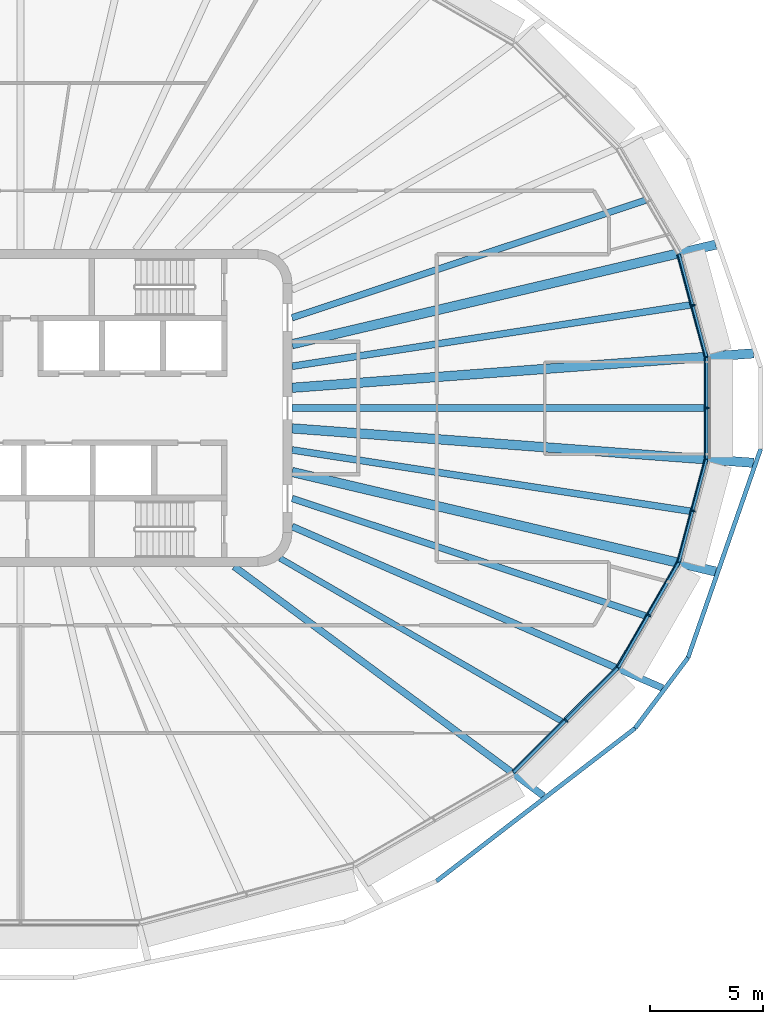
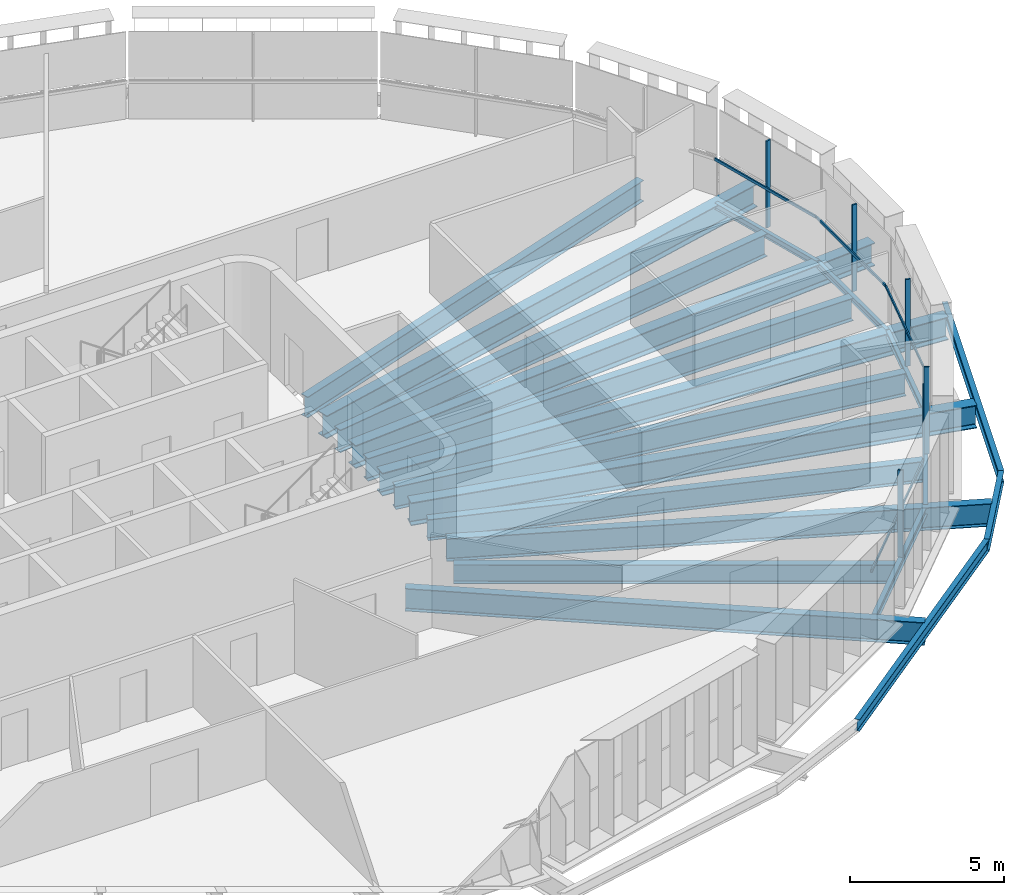
# One storey, part 4 of 20: 20 beams, 10 members, 5 elements without a shape of their own.
"""IFC4 building model written with IfcOpenShell, lengths in metres."""

from ifc_helpers import new_model, si_unit, direction, frame, origin, origin_2d, place, context, subcontext, project, spatial, rectangle, i_section, extrude, material, layer, layer_set, material_profile, profile_set, type_object, element, aggregate, save


model = new_model("IFC4")

# Units and contexts
model_context = context("Model", 3, precision=1e-05, world=origin(), true_north=direction((0.0, 1.0)))
body_context = subcontext(model_context, "Body", "Model", "MODEL_VIEW")
ifc_project = project(units=[si_unit("LENGTHUNIT", "METRE"), si_unit("AREAUNIT", "SQUARE_METRE"), si_unit("VOLUMEUNIT", "CUBIC_METRE"), si_unit("PLANEANGLEUNIT", "RADIAN"), si_unit("MASSUNIT", "GRAM", prefix="KILO")], contexts=[model_context])

# Site, building, storey
site_placement = place(None, origin())
site = spatial("IfcSite", under=ifc_project, at=site_placement, CompositionType="ELEMENT")
building_placement = place(site_placement, origin())
building = spatial("IfcBuilding", under=site, at=building_placement, Name="Sahrelin Media Tower", CompositionType="ELEMENT")
storey_placement = place(building_placement, frame((0.0, 0.0, 245.60009765625)))
storey = spatial("IfcBuildingStorey", under=building, at=storey_placement, Name="L53", CompositionType="ELEMENT", Elevation=245.60009765625)

# Beams
ifc_material_1 = material(Name="Steel S355", Category="steel")
ifc_material_profile_1 = material_profile(ifc_material_1, i_section(OverallWidth=0.14599609375, OverallDepth=0.25146484375, WebThickness=0.006103515625, FlangeThickness=0.008544921875, FilletRadius=0.007568359375, at=origin_2d()), Name="UB 254x146x31")
ifc_profile_set_1 = profile_set([ifc_material_profile_1], Name="Steel S355")
beam_type_1 = type_object("IfcBeamType", Name="Edge beam EB1", PredefinedType="BEAM", material=ifc_profile_set_1)
beam_1_placement = place(storey_placement, frame((30.300048828125, 2.240234375, -0.27587890625), z_axis=(0.0, -1.0, 0.0), x_axis=(1.0, 0.0, 0.0)))
element("IfcBeam", 1, at=beam_1_placement, inside=storey, type_object=beam_type_1, Name="Edge beam L53-01", PredefinedType="BEAM", context=body_context, shape_type="SweptSolid", body=[
    extrude(i_section(OverallWidth=0.14599609375, OverallDepth=0.25146484375, WebThickness=0.006103515625, FlangeThickness=0.008544921875, FilletRadius=0.007568359375, at=origin_2d()), origin(), (0.0, 0.0, 1.0), 4.48046875),
])
for number, where, z_axis, x_axis, name in (
    (2, (30.296142578125, -2.268798828125, -0.27587890625), (-0.258770785767, -0.965938756047, 0.0), (0.965938756047, -0.258770785767, 0.0), "Edge beam L53-02"),
    (3, (29.082763671875, 6.798095703125, -0.27587890625), (0.258770785767, -0.965938756047, 0.0), (0.965938756047, 0.258770785767, 0.0), "Edge beam L53-24"),
):
    element("IfcBeam", number, at=place(storey_placement, frame(where, z_axis=z_axis, x_axis=x_axis)), inside=storey, type_object=beam_type_1, Name=name, PredefinedType="BEAM", context=body_context, shape_type="SweptSolid", body=[
        extrude(i_section(OverallWidth=0.14599609375, OverallDepth=0.25146484375, WebThickness=0.006103515625, FlangeThickness=0.008544921875, FilletRadius=0.007568359375, at=origin_2d()), origin(), (0.0, 0.0, 1.0), 4.68896484375),
    ])
ifc_material_profile_2 = material_profile(ifc_material_1, i_section(OverallWidth=0.1650390625, OverallDepth=0.303466796875, WebThickness=0.006103515625, FlangeThickness=0.01025390625, FilletRadius=0.0087890625, at=origin_2d()), Name="UB 305x165x40")
ifc_profile_set_2 = profile_set([ifc_material_profile_2], Name="Steel S355")
beam_type_2 = type_object("IfcBeamType", Name="Edge beam EB2", PredefinedType="BEAM", material=ifc_profile_set_2)
beam_2_placement = place(storey_placement, frame((29.07177734375, -6.82470703125, -0.3017578125), z_axis=(-0.500034814518, -0.86600530268, 0.0), x_axis=(0.86600530268, -0.500034814518, 0.0)))
element("IfcBeam", 4, at=beam_2_placement, inside=storey, type_object=beam_type_2, Name="Edge beam L53-03", PredefinedType="BEAM", context=body_context, shape_type="SweptSolid", body=[
    extrude(i_section(OverallWidth=0.1650390625, OverallDepth=0.303466796875, WebThickness=0.006103515625, FlangeThickness=0.01025390625, FilletRadius=0.0087890625, at=origin_2d()), origin(), (0.0, 0.0, 1.0), 5.3447265625),
])
ifc_material_profile_3 = material_profile(ifc_material_1, i_section(OverallWidth=0.17138671875, OverallDepth=0.35498046875, WebThickness=0.00732421875, FlangeThickness=0.011474609375, FilletRadius=0.01025390625, at=origin_2d()), Name="UB 356x171x51")
ifc_profile_set_3 = profile_set([ifc_material_profile_3], Name="Steel S355")
beam_type_3 = type_object("IfcBeamType", Name="Edge beam EB3", PredefinedType="BEAM", material=ifc_profile_set_3)
beam_3_placement = place(storey_placement, frame((26.381591796875, -11.476318359375, -0.32763671875), z_axis=(-0.707106781187, -0.707106781187, 0.0), x_axis=(0.707106781187, -0.707106781187, 0.0)))
element("IfcBeam", 5, at=beam_3_placement, inside=storey, type_object=beam_type_3, Name="Edge beam L53-04", PredefinedType="BEAM", context=body_context, shape_type="SweptSolid", body=[
    extrude(i_section(OverallWidth=0.17138671875, OverallDepth=0.35498046875, WebThickness=0.00732421875, FlangeThickness=0.011474609375, FilletRadius=0.01025390625, at=origin_2d()), origin(), (0.0, 0.0, 1.0), 6.508544921875),
])

# Curtain wall, member
ifc_material_2 = material(Name="Champagne anodised aluminium 6063-T6", Category="aluminium")
ifc_layer = layer(ifc_material_2, 0.14990234375)
ifc_layer_set = layer_set([ifc_layer], Name="Tower ribbon curtain wall")
curtain_wall_type = type_object("IfcCurtainWallType", Name="Tower ribbon curtain wall", PredefinedType="NOTDEFINED", material=ifc_layer_set)
curtain_wall_1_placement = place(storey_placement, frame((30.449951171875, 0.0, 0.0), z_axis=(0.0, 0.0, 1.0), x_axis=(1.0, 0.0, 0.0)))
curtain_wall_1 = element("IfcCurtainWall", 6, at=curtain_wall_1_placement, inside=storey, type_object=curtain_wall_type, Name="L53:CW:L53-00", PredefinedType="NOTDEFINED")
ifc_material_profile_4 = material_profile(ifc_material_2, rectangle(XDim=0.06005859375, YDim=0.175048828125, at=origin_2d()), Name="Mullion 60x175")
ifc_profile_set_4 = profile_set([ifc_material_profile_4], Name="Champagne anodised aluminium 6063-T6")
member_type_1 = type_object("IfcMemberType", Name="Mullion 60x175 CW1B", PredefinedType="MULLION", material=ifc_profile_set_4)
member_1_placement = place(storey_placement, frame((30.342529296875, 0.0, 0.0), z_axis=(0.0, 0.0, 1.0), x_axis=(0.0, 1.0, 0.0)))
member_1 = element("IfcMember", 7, at=member_1_placement, type_object=member_type_1, Name="L53:CWM:L53-00", PredefinedType="MULLION", context=body_context, shape_type="SweptSolid", body=[
    extrude(rectangle(XDim=0.06005859375, YDim=0.175048828125, at=origin_2d()), origin(), (0.0, 0.0, 1.0), 3.448486328125),
])

curtain_wall_2_placement = place(storey_placement, frame((29.834228515625, 4.572265625, 0.0), z_axis=(0.0, 0.0, 1.0), x_axis=(1.0, 0.0, 0.0)))
curtain_wall_2 = element("IfcCurtainWall", 8, at=curtain_wall_2_placement, inside=storey, type_object=curtain_wall_type, Name="L53:CW:L53-01", PredefinedType="NOTDEFINED")
member_2_placement = place(storey_placement, frame((29.73046875, 4.54443359375, 0.0), z_axis=(0.0, 0.0, 1.0), x_axis=(-0.258812301662, 0.965927633163, 0.0)))
member_2 = element("IfcMember", 9, at=member_2_placement, type_object=member_type_1, Name="L53:CWM:L53-01", PredefinedType="MULLION", context=body_context, shape_type="SweptSolid", body=[
    extrude(rectangle(XDim=0.06005859375, YDim=0.175048828125, at=origin_2d()), origin(), (0.0, 0.0, 1.0), 3.448486328125),
])

curtain_wall_3_placement = place(storey_placement, frame((24.1865234375, -13.883544921875, 0.0), z_axis=(0.0, 0.0, 1.0), x_axis=(1.0, 0.0, 0.0)))
curtain_wall_3 = element("IfcCurtainWall", 10, at=curtain_wall_3_placement, inside=storey, type_object=curtain_wall_type, Name="L53:CW:L53-21", PredefinedType="NOTDEFINED")
member_3_placement = place(storey_placement, frame((24.110595703125, -13.807373046875, 0.0), z_axis=(0.0, 0.0, 1.0), x_axis=(0.707106781187, 0.707106781187, 0.0)))
member_3 = element("IfcMember", 11, at=member_3_placement, type_object=member_type_1, Name="L53:CWM:L53-21", PredefinedType="MULLION", context=body_context, shape_type="SweptSolid", body=[
    extrude(rectangle(XDim=0.06005859375, YDim=0.175048828125, at=origin_2d()), origin(), (0.0, 0.0, 1.0), 3.448486328125),
])

curtain_wall_4_placement = place(storey_placement, frame((27.865234375, -9.214111328125, 0.0), z_axis=(0.0, 0.0, 1.0), x_axis=(1.0, 0.0, 0.0)))
curtain_wall_4 = element("IfcCurtainWall", 12, at=curtain_wall_4_placement, inside=storey, type_object=curtain_wall_type, Name="L53:CW:L53-22", PredefinedType="NOTDEFINED")
member_4_placement = place(storey_placement, frame((27.772216796875, -9.16015625, 0.0), z_axis=(0.0, 0.0, 1.0), x_axis=(0.500009068969, 0.866020167749, 0.0)))
member_4 = element("IfcMember", 13, at=member_4_placement, type_object=member_type_1, Name="L53:CWM:L53-22", PredefinedType="MULLION", context=body_context, shape_type="SweptSolid", body=[
    extrude(rectangle(XDim=0.06005859375, YDim=0.175048828125, at=origin_2d()), origin(), (0.0, 0.0, 1.0), 3.448486328125),
])

curtain_wall_5_placement = place(storey_placement, frame((29.83447265625, -4.572265625, 0.0), z_axis=(0.0, 0.0, 1.0), x_axis=(1.0, 0.0, 0.0)))
curtain_wall_5 = element("IfcCurtainWall", 14, at=curtain_wall_5_placement, inside=storey, type_object=curtain_wall_type, Name="L53:CW:L53-23", PredefinedType="NOTDEFINED")
member_5_placement = place(storey_placement, frame((29.73046875, -4.54443359375, 0.0), z_axis=(0.0, 0.0, 1.0), x_axis=(0.258812301662, 0.965927633163, 0.0)))
member_5 = element("IfcMember", 15, at=member_5_placement, type_object=member_type_1, Name="L53:CWM:L53-23", PredefinedType="MULLION", context=body_context, shape_type="SweptSolid", body=[
    extrude(rectangle(XDim=0.06005859375, YDim=0.175048828125, at=origin_2d()), origin(), (0.0, 0.0, 1.0), 3.448486328125),
])

# Beams
ifc_material_profile_5 = material_profile(ifc_material_1, i_section(OverallWidth=0.30322265625, OverallDepth=0.903076171875, WebThickness=0.01513671875, FlangeThickness=0.020263671875, FilletRadius=0.01904296875, at=origin_2d()), Name="UB 914x305x201")
ifc_profile_set_5 = profile_set([ifc_material_profile_5], Name="Steel S355")
beam_type_4 = type_object("IfcBeamType", Name="Radial primary beam PB11", PredefinedType="BEAM", material=ifc_profile_set_5)
beam_4_placement = place(storey_placement, frame((9.441162109375, -7.0, -0.6015625), z_axis=(0.803287986213, -0.59559080853, 0.0), x_axis=(0.59559080853, 0.803287986213, 0.0)))
element("IfcBeam", 16, at=beam_4_placement, inside=storey, type_object=beam_type_4, Name="Radial beam L53-21", PredefinedType="BEAM", context=body_context, shape_type="SweptSolid", body=[
    extrude(i_section(OverallWidth=0.30322265625, OverallDepth=0.903076171875, WebThickness=0.01513671875, FlangeThickness=0.020263671875, FilletRadius=0.01904296875, at=origin_2d()), origin(), (0.0, 0.0, 1.0), 17.018310546875),
])
beam_5_placement = place(storey_placement, frame((12.0, -5.2314453125, -0.6015625), z_axis=(0.916673104174, -0.399637861174, 0.0), x_axis=(0.399637861174, 0.916673104174, 0.0)))
element("IfcBeam", 17, at=beam_5_placement, inside=storey, type_object=beam_type_4, Name="Radial beam L53-22", PredefinedType="BEAM", context=body_context, shape_type="SweptSolid", body=[
    extrude(i_section(OverallWidth=0.30322265625, OverallDepth=0.903076171875, WebThickness=0.01513671875, FlangeThickness=0.020263671875, FilletRadius=0.01904296875, at=origin_2d()), origin(), (0.0, 0.0, 1.0), 17.85546875),
])
ifc_material_profile_6 = material_profile(ifc_material_1, i_section(OverallWidth=0.41845703125, OverallDepth=0.911865234375, WebThickness=0.019287109375, FlangeThickness=0.031982421875, FilletRadius=0.024169921875, at=origin_2d()), Name="UB 914x419x343")
ifc_profile_set_6 = profile_set([ifc_material_profile_6], Name="Steel S355")
beam_type_5 = type_object("IfcBeamType", Name="Radial primary beam PB12", PredefinedType="BEAM", material=ifc_profile_set_6)
beam_6_placement = place(storey_placement, frame((12.0, 0.896484375, -0.60595703125), z_axis=(0.997222639214, 0.074478237346, 0.0), x_axis=(-0.074478237346, 0.997222639214, 0.0)))
element("IfcBeam", 18, at=beam_6_placement, inside=storey, type_object=beam_type_5, Name="Radial beam L53-01", PredefinedType="BEAM", context=body_context, shape_type="SweptSolid", body=[
    extrude(i_section(OverallWidth=0.41845703125, OverallDepth=0.911865234375, WebThickness=0.019287109375, FlangeThickness=0.031982421875, FilletRadius=0.024169921875, at=origin_2d()), origin(), (0.0, 0.0, 1.0), 20.445068359375),
])
for number, where, z_axis, x_axis, name in (
    (19, (12.0, 2.8212890625, -0.60595703125), (0.973453626773, 0.228884330006, 0.0), (-0.228884330006, 0.973453626773, 0.0), "Radial beam L53-02"),
    (20, (12.0, -2.8212890625, -0.60595703125), (0.973453626773, -0.228884330006, 0.0), (0.228884330006, 0.973453626773, 0.0), "Radial beam L53-23"),
):
    element("IfcBeam", number, at=place(storey_placement, frame(where, z_axis=z_axis, x_axis=x_axis)), inside=storey, type_object=beam_type_5, Name=name, PredefinedType="BEAM", context=body_context, shape_type="SweptSolid", body=[
        extrude(i_section(OverallWidth=0.41845703125, OverallDepth=0.911865234375, WebThickness=0.019287109375, FlangeThickness=0.031982421875, FilletRadius=0.024169921875, at=origin_2d()), origin(), (0.0, 0.0, 1.0), 19.2265625),
    ])
beam_7_placement = place(storey_placement, frame((12.0, -0.896484375, -0.60595703125), z_axis=(0.997222639214, -0.074478237346, 0.0), x_axis=(0.074478237346, 0.997222639214, 0.0)))
element("IfcBeam", 21, at=beam_7_placement, inside=storey, type_object=beam_type_5, Name="Radial beam L53-24", PredefinedType="BEAM", context=body_context, shape_type="SweptSolid", body=[
    extrude(i_section(OverallWidth=0.41845703125, OverallDepth=0.911865234375, WebThickness=0.019287109375, FlangeThickness=0.031982421875, FilletRadius=0.024169921875, at=origin_2d()), origin(), (0.0, 0.0, 1.0), 20.445068359375),
])
ifc_material_profile_7 = material_profile(ifc_material_1, i_section(OverallWidth=0.291748046875, OverallDepth=0.8349609375, WebThickness=0.013916015625, FlangeThickness=0.018798828125, FilletRadius=0.017822265625, at=origin_2d()), Name="UB 838x292x176")
ifc_profile_set_7 = profile_set([ifc_material_profile_7], Name="Steel S355")
beam_type_6 = type_object("IfcBeamType", Name="Radial secondary beam SB10", PredefinedType="BEAM", material=ifc_profile_set_7)
for number, where, z_axis, x_axis, name in (
    (22, (12.0, 3.990234375, -0.567626953125), (0.948913009395, 0.315537795835, 0.0), (-0.315537795835, 0.948913009395, 0.0), "Secondary beam L53-02"),
    (23, (12.0, -3.990234375, -0.567626953125), (0.948913009395, -0.315537795835, 0.0), (0.315537795835, 0.948913009395, 0.0), "Secondary beam L53-22"),
):
    element("IfcBeam", number, at=place(storey_placement, frame(where, z_axis=z_axis, x_axis=x_axis)), inside=storey, type_object=beam_type_6, Name=name, PredefinedType="BEAM", context=body_context, shape_type="SweptSolid", body=[
        extrude(i_section(OverallWidth=0.291748046875, OverallDepth=0.8349609375, WebThickness=0.013916015625, FlangeThickness=0.018798828125, FilletRadius=0.017822265625, at=origin_2d()), origin(), (0.0, 0.0, 1.0), 16.45556640625),
    ])
ifc_material_profile_8 = material_profile(ifc_material_1, i_section(OverallWidth=0.30322265625, OverallDepth=0.903076171875, WebThickness=0.01513671875, FlangeThickness=0.020263671875, FilletRadius=0.01904296875, at=origin_2d()), Name="UB 914x305x201")
ifc_profile_set_8 = profile_set([ifc_material_profile_8], Name="Steel S355")
beam_type_7 = type_object("IfcBeamType", Name="Radial secondary beam SB11", PredefinedType="BEAM", material=ifc_profile_set_8)
for number, where, z_axis, x_axis, name in (
    (24, (12.0, 1.847412109375, -0.6015625), (0.988358068544, 0.152145747046, 0.0), (-0.152145747046, 0.988358068544, 0.0), "Secondary beam L53-01"),
    (25, (12.0, -1.847412109375, -0.6015625), (0.988358068544, -0.152145747046, 0.0), (0.152145747046, 0.988358068544, 0.0), "Secondary beam L53-23"),
):
    element("IfcBeam", number, at=place(storey_placement, frame(where, z_axis=z_axis, x_axis=x_axis)), inside=storey, type_object=beam_type_7, Name=name, PredefinedType="BEAM", context=body_context, shape_type="SweptSolid", body=[
        extrude(i_section(OverallWidth=0.30322265625, OverallDepth=0.903076171875, WebThickness=0.01513671875, FlangeThickness=0.020263671875, FilletRadius=0.01904296875, at=origin_2d()), origin(), (0.0, 0.0, 1.0), 17.81494140625),
    ])
beam_8_placement = place(storey_placement, frame((12.0, 0.0, -0.6015625), z_axis=(1.0, 0.0, 0.0), x_axis=(0.0, 1.0, 0.0)))
element("IfcBeam", 26, at=beam_8_placement, inside=storey, type_object=beam_type_7, Name="Secondary beam L53-24", PredefinedType="BEAM", context=body_context, shape_type="SweptSolid", body=[
    extrude(i_section(OverallWidth=0.30322265625, OverallDepth=0.903076171875, WebThickness=0.01513671875, FlangeThickness=0.020263671875, FilletRadius=0.01904296875, at=origin_2d()), origin(), (0.0, 0.0, 1.0), 18.22705078125),
])
ifc_material_profile_9 = material_profile(ifc_material_1, i_section(OverallWidth=0.26513671875, OverallDepth=0.75390625, WebThickness=0.0126953125, FlangeThickness=0.017578125, FilletRadius=0.0166015625, at=origin_2d()), Name="UB 762x267x147")
ifc_profile_set_9 = profile_set([ifc_material_profile_9], Name="Steel S355")
beam_type_8 = type_object("IfcBeamType", Name="Radial secondary beam SB9", PredefinedType="BEAM", material=ifc_profile_set_9)
beam_9_placement = place(storey_placement, frame((11.465087890625, -6.634033203125, -0.527099609375), z_axis=(0.865540628134, -0.500838717602, 0.0), x_axis=(0.500838717602, 0.865540628134, 0.0)))
element("IfcBeam", 27, at=beam_9_placement, inside=storey, type_object=beam_type_8, Name="Secondary beam L53-21", PredefinedType="BEAM", context=body_context, shape_type="SweptSolid", body=[
    extrude(i_section(OverallWidth=0.26513671875, OverallDepth=0.75390625, WebThickness=0.0126953125, FlangeThickness=0.017578125, FilletRadius=0.0166015625, at=origin_2d()), origin(), (0.0, 0.0, 1.0), 14.371826171875),
])
ifc_material_profile_10 = material_profile(ifc_material_1, i_section(OverallWidth=0.1904296875, OverallDepth=0.45703125, WebThickness=0.009033203125, FlangeThickness=0.014404296875, FilletRadius=0.01025390625, at=origin_2d()), Name="UB 457x191x74")
ifc_profile_set_10 = profile_set([ifc_material_profile_10], Name="Steel S355")
beam_type_9 = type_object("IfcBeamType", Name="Tie chord TC5", PredefinedType="BEAM", material=ifc_profile_set_10)
beam_10_placement = place(storey_placement, frame((18.37890625, -20.89892578125, -0.378662109375), z_axis=(0.792435403272, 0.60995584401, 0.0), x_axis=(-0.60995584401, 0.792435403272, 0.0)))
element("IfcBeam", 28, at=beam_10_placement, inside=storey, type_object=beam_type_9, Name="Tie chord L53-21", PredefinedType="BEAM", context=body_context, shape_type="SweptSolid", body=[
    extrude(i_section(OverallWidth=0.1904296875, OverallDepth=0.45703125, WebThickness=0.009033203125, FlangeThickness=0.014404296875, FilletRadius=0.01025390625, at=origin_2d()), origin(), (0.0, 0.0, 1.0), 11.0712890625),
])
beam_11_placement = place(storey_placement, frame((27.152099609375, -14.14599609375, -0.378662109375), z_axis=(0.600080116168, 0.799939906605, 0.0), x_axis=(-0.799939906605, 0.600080116168, 0.0)))
element("IfcBeam", 29, at=beam_11_placement, inside=storey, type_object=beam_type_9, Name="Tie chord L53-22", PredefinedType="BEAM", context=body_context, shape_type="SweptSolid", body=[
    extrude(i_section(OverallWidth=0.1904296875, OverallDepth=0.45703125, WebThickness=0.009033203125, FlangeThickness=0.014404296875, FilletRadius=0.01025390625, at=origin_2d()), origin(), (0.0, 0.0, 1.0), 3.900390625),
])
beam_12_placement = place(storey_placement, frame((29.49267578125, -11.02587890625, -0.378662109375), z_axis=(0.328790124037, 0.944403014785, 0.0), x_axis=(-0.944403014785, 0.328790124037, 0.0)))
element("IfcBeam", 30, at=beam_12_placement, inside=storey, type_object=beam_type_9, Name="Tie chord L53-23", PredefinedType="BEAM", context=body_context, shape_type="SweptSolid", body=[
    extrude(i_section(OverallWidth=0.1904296875, OverallDepth=0.45703125, WebThickness=0.009033203125, FlangeThickness=0.014404296875, FilletRadius=0.01025390625, at=origin_2d()), origin(), (0.0, 0.0, 1.0), 9.767333984375),
])

# Member
ifc_material_profile_11 = material_profile(ifc_material_2, rectangle(XDim=0.050048828125, YDim=0.110107421875, at=origin_2d()), Name="Transom 50x110")
ifc_profile_set_11 = profile_set([ifc_material_profile_11], Name="Champagne anodised aluminium 6063-T6")
member_type_2 = type_object("IfcMemberType", Name="Transom 50x110 CW1B", PredefinedType="USERDEFINED", material=ifc_profile_set_11)
member_6_placement = place(storey_placement, frame((30.22998046875, -2.224609375, 1.599853515625), z_axis=(0.0, 1.0, 0.0), x_axis=(-1.0, 0.0, 0.0)))
member_6 = element("IfcMember", 31, at=member_6_placement, type_object=member_type_2, Name="L53:CWT:L53-00", ObjectType="TRANSOM", PredefinedType="USERDEFINED", context=body_context, shape_type="SweptSolid", body=[
    extrude(rectangle(XDim=0.050048828125, YDim=0.110107421875, at=origin_2d()), origin(), (0.0, 0.0, 1.0), 4.44921875),
])

aggregate(curtain_wall_1, [member_1, member_6])

member_7_placement = place(storey_placement, frame((30.224609375, 2.265869140625, 1.599853515625), z_axis=(-0.258843509974, 0.965919270614, 0.0), x_axis=(-0.965919270614, -0.258843509974, 0.0)))
member_7 = element("IfcMember", 32, at=member_7_placement, type_object=member_type_2, Name="L53:CWT:L53-01", ObjectType="TRANSOM", PredefinedType="USERDEFINED", context=body_context, shape_type="SweptSolid", body=[
    extrude(rectangle(XDim=0.050048828125, YDim=0.110107421875, at=origin_2d()), origin(), (0.0, 0.0, 1.0), 4.657470703125),
])

aggregate(curtain_wall_2, [member_2, member_7])

member_8_placement = place(storey_placement, frame((21.740966796875, -16.017822265625, 1.599853515625), z_axis=(0.707125627567, 0.707087934304, 0.0), x_axis=(-0.707087934304, 0.707125627567, 0.0)))
member_8 = element("IfcMember", 33, at=member_8_placement, type_object=member_type_2, Name="L53:CWT:L53-21", ObjectType="TRANSOM", PredefinedType="USERDEFINED", context=body_context, shape_type="SweptSolid", body=[
    extrude(rectangle(XDim=0.050048828125, YDim=0.110107421875, at=origin_2d()), origin(), (0.0, 0.0, 1.0), 6.47705078125),
])

aggregate(curtain_wall_3, [member_3, member_8])

member_9_placement = place(storey_placement, frame((26.346435546875, -11.40478515625, 1.599853515625), z_axis=(0.500003519352, 0.866023371876, 0.0), x_axis=(-0.866023371876, 0.500003519352, 0.0)))
member_9 = element("IfcMember", 34, at=member_9_placement, type_object=member_type_2, Name="L53:CWT:L53-22", ObjectType="TRANSOM", PredefinedType="USERDEFINED", context=body_context, shape_type="SweptSolid", body=[
    extrude(rectangle(XDim=0.050048828125, YDim=0.110107421875, at=origin_2d()), origin(), (0.0, 0.0, 1.0), 5.3134765625),
])

aggregate(curtain_wall_4, [member_4, member_9])

member_10_placement = place(storey_placement, frame((29.01904296875, -6.7646484375, 1.599853515625), z_axis=(0.258843509974, 0.965919270614, 0.0), x_axis=(-0.965919270614, 0.258843509974, 0.0)))
member_10 = element("IfcMember", 35, at=member_10_placement, type_object=member_type_2, Name="L53:CWT:L53-23", ObjectType="TRANSOM", PredefinedType="USERDEFINED", context=body_context, shape_type="SweptSolid", body=[
    extrude(rectangle(XDim=0.050048828125, YDim=0.110107421875, at=origin_2d()), origin(), (0.0, 0.0, 1.0), 4.657470703125),
])

aggregate(curtain_wall_5, [member_5, member_10])

save(model, "model.ifc")
